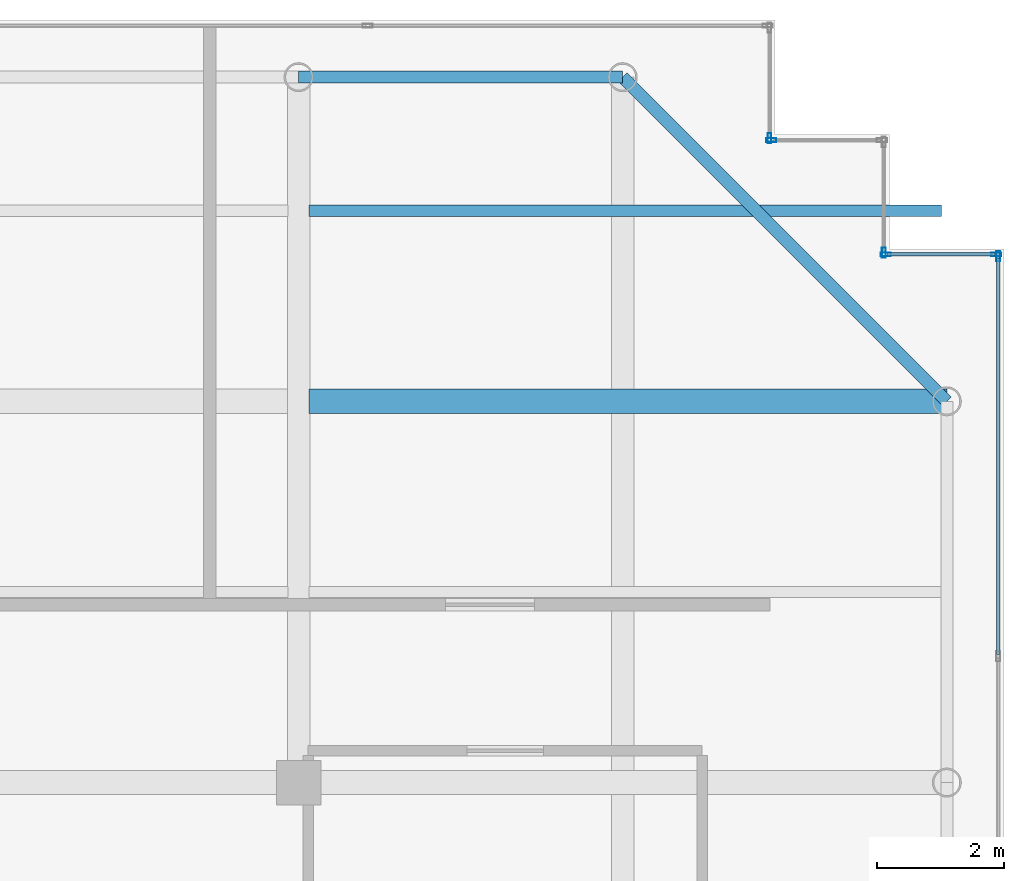
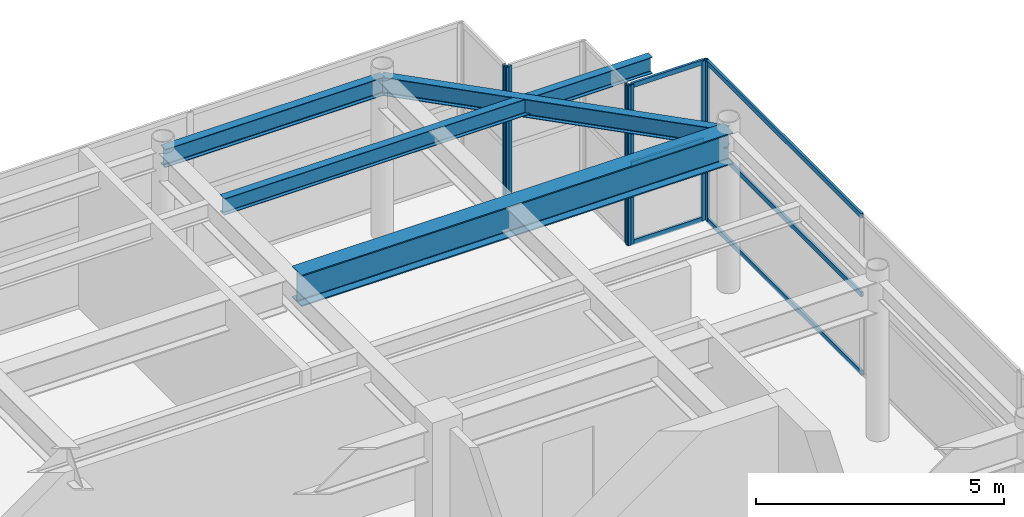
# One storey, part 27 of 33: 12 members, 4 beams, 5 elements without a shape of their own.
"""IFC4 building model written with IfcOpenShell, lengths in metres."""

from ifc_helpers import new_model, si_unit, direction, frame, origin, origin_2d, place, context, subcontext, project, spatial, hollow_rectangle, i_section, extrude, source, transform, mapped, material, layer, layer_set, material_profile, profile_set, type_object, element, aggregate, save


model = new_model("IFC4")

# Units and contexts
model_context = context("Model", 3, precision=1e-05, world=origin(), true_north=direction((0.0, 1.0)))
body_context = subcontext(model_context, "Body", "Model", "MODEL_VIEW")
ifc_project = project(units=[si_unit("LENGTHUNIT", "METRE"), si_unit("AREAUNIT", "SQUARE_METRE"), si_unit("VOLUMEUNIT", "CUBIC_METRE"), si_unit("PLANEANGLEUNIT", "RADIAN"), si_unit("MASSUNIT", "GRAM", prefix="KILO")], contexts=[model_context])

# Site, building, storey
site_placement = place(None, origin())
site = spatial("IfcSite", under=ifc_project, at=site_placement, CompositionType="ELEMENT")
building_placement = place(site_placement, origin())
building = spatial("IfcBuilding", under=site, at=building_placement, Name="Khoralis Quay Care Tower", CompositionType="ELEMENT")
storey_placement = place(building_placement, frame((0.0, 0.0, 302.10009765625)))
storey = spatial("IfcBuildingStorey", under=building, at=storey_placement, Name="L79", CompositionType="ELEMENT", Elevation=302.10009765625)

# Beams
ifc_material_1 = material(Name="Steel S355", Category="steel")
ifc_material_profile_1 = material_profile(ifc_material_1, i_section(OverallWidth=0.18994140625, OverallDepth=0.449951171875, WebThickness=0.009521484375, FlangeThickness=0.0146484375, FilletRadius=0.02099609375, at=origin_2d()), Name="Steel S355")
ifc_profile_set_1 = profile_set([ifc_material_profile_1], Name="Steel S355")
beam_type_1 = type_object("IfcBeamType", Name="BM-IPE450", PredefinedType="SPANDREL", material=ifc_profile_set_1)
shared_shape_1 = source(origin(), body_context, "Body", "SweptSolid", [
    extrude(i_section(OverallWidth=0.18994140625, OverallDepth=0.449951171875, WebThickness=0.009521484375, FlangeThickness=0.0146484375, FilletRadius=0.02099609375, at=origin_2d()), origin(), (0.0, 0.0, 1.0), 5.10009765625),
])
beam_1_placement = place(storey_placement, frame((30.89990234375, 41.10009765625, 3.69482421875), z_axis=(1.0, 0.0, 0.0), x_axis=(0.0, 1.0, 0.0)))
element("IfcBeam", 1, at=beam_1_placement, inside=storey, type_object=beam_type_1, Name="BM-TSP-L79-08", PredefinedType="SPANDREL", context=body_context, shape_type="MappedRepresentation", body=[
    mapped(shared_shape_1, transform((0.0, 0.0, 0.0), scale=1.0)),
])
shared_shape_2 = source(origin(), body_context, "Body", "SweptSolid", [
    extrude(i_section(OverallWidth=0.18994140625, OverallDepth=0.449951171875, WebThickness=0.009521484375, FlangeThickness=0.0146484375, FilletRadius=0.02099609375, at=origin_2d()), origin(), (0.0, 0.0, 1.0), 7.212646484375),
])
beam_2_placement = place(storey_placement, frame((36.0, 41.10009765625, 3.69482421875), z_axis=(0.707106781187, -0.707106781187, 0.0), x_axis=(0.707106781187, 0.707106781187, 0.0)))
element("IfcBeam", 2, at=beam_2_placement, inside=storey, type_object=beam_type_1, Name="BM-TCR-L79-20", PredefinedType="SPANDREL", context=body_context, shape_type="MappedRepresentation", body=[
    mapped(shared_shape_2, transform((0.0, 0.0, 0.0), scale=1.0)),
])
ifc_material_profile_2 = material_profile(ifc_material_1, i_section(OverallWidth=0.381103515625, OverallDepth=0.77294921875, WebThickness=0.0166015625, FlangeThickness=0.027587890625, FilletRadius=0.02197265625, at=origin_2d()), Name="Steel S355")
ifc_profile_set_2 = profile_set([ifc_material_profile_2], Name="Steel S355")
beam_type_2 = type_object("IfcBeamType", Name="BM-W760X257", PredefinedType="BEAM", material=ifc_profile_set_2)
shared_shape_3 = source(origin(), body_context, "Body", "SweptSolid", [
    extrude(i_section(OverallWidth=0.381103515625, OverallDepth=0.77294921875, WebThickness=0.0166015625, FlangeThickness=0.027587890625, FilletRadius=0.02197265625, at=origin_2d()), origin(), (0.0, 0.0, 1.0), 10.03466796875),
])
beam_3_placement = place(storey_placement, frame((31.0654296875, 36.0, 3.533447265625), z_axis=(1.0, 0.0, 0.0), x_axis=(0.0, 1.0, 0.0)))
element("IfcBeam", 3, at=beam_3_placement, inside=storey, type_object=beam_type_2, Name="BM-TGXE-L79-360", PredefinedType="BEAM", context=body_context, shape_type="MappedRepresentation", body=[
    mapped(shared_shape_3, transform((0.0, 0.0, 0.0), scale=1.0)),
])
ifc_material_profile_3 = material_profile(ifc_material_1, i_section(OverallWidth=0.177978515625, OverallDepth=0.406982421875, WebThickness=0.0078125, FlangeThickness=0.0126953125, FilletRadius=0.012939453125, at=origin_2d()), Name="Steel S355")
ifc_profile_set_3 = profile_set([ifc_material_profile_3], Name="Steel S355")
beam_type_3 = type_object("IfcBeamType", Name="BM-W410X60", PredefinedType="JOIST", material=ifc_profile_set_3)
shared_shape_4 = source(origin(), body_context, "Body", "SweptSolid", [
    extrude(i_section(OverallWidth=0.177978515625, OverallDepth=0.406982421875, WebThickness=0.0078125, FlangeThickness=0.0126953125, FilletRadius=0.012939453125, at=origin_2d()), origin(), (0.0, 0.0, 1.0), 9.95361328125),
])
beam_4_placement = place(storey_placement, frame((31.0654296875, 39.0, 3.71630859375), z_axis=(1.0, 0.0, 0.0), x_axis=(0.0, 1.0, 0.0)))
element("IfcBeam", 4, at=beam_4_placement, inside=storey, type_object=beam_type_3, Name="BM-TJS-L79-28", PredefinedType="JOIST", context=body_context, shape_type="MappedRepresentation", body=[
    mapped(shared_shape_4, transform((0.0, 0.0, 0.0), scale=1.0)),
])

# Curtain wall, members
ifc_material_2 = material(Name="Pale anodised aluminium", Category="aluminium")
ifc_layer = layer(ifc_material_2, 0.199951171875)
ifc_layer_set = layer_set([ifc_layer], Name="Pale anodised aluminium")
curtain_wall_type = type_object("IfcCurtainWallType", Name="CW-SYS-LANTERN", PredefinedType="NOTDEFINED", material=ifc_layer_set)
curtain_wall_1_placement = place(storey_placement, origin())
curtain_wall_1 = element("IfcCurtainWall", 5, at=curtain_wall_1_placement, inside=storey, type_object=curtain_wall_type, Name="L79 Unitised Curtain Wall CW-LN-L79-06", PredefinedType="NOTDEFINED")
ifc_material_profile_4 = material_profile(ifc_material_2, hollow_rectangle(XDim=0.054931640625, YDim=0.1201171875, WallThickness=0.00390625, at=origin_2d()), Name="Pale anodised aluminium")
ifc_profile_set_4 = profile_set([ifc_material_profile_4], Name="Pale anodised aluminium")
member_type_1 = type_object("IfcMemberType", Name="CW-TRN-120", PredefinedType="USERDEFINED", material=ifc_profile_set_4)
shared_shape_5 = source(origin(), body_context, "Body", "SweptSolid", [
    extrude(hollow_rectangle(XDim=0.054931640625, YDim=0.1201171875, WallThickness=0.00390625, at=origin_2d()), origin(), (0.0, 0.0, 1.0), 6.23388671875),
])
member_1_placement = place(storey_placement, frame((41.909912109375, 32.01611328125, 0.02978515625), z_axis=(0.0, 1.0, 0.0), x_axis=(-1.0, 0.0, 0.0)))
member_1 = element("IfcMember", 6, at=member_1_placement, type_object=member_type_1, Name="CW5 transom 5.1", ObjectType="TRANSOM", PredefinedType="USERDEFINED", context=body_context, shape_type="MappedRepresentation", body=[
    mapped(shared_shape_5, transform((0.0, 0.0, 0.0), scale=1.0)),
])
member_2_placement = place(storey_placement, frame((41.909912109375, 32.01611328125, 1.9599609375), z_axis=(0.0, 1.0, 0.0), x_axis=(-1.0, 0.0, 0.0)))
member_2 = element("IfcMember", 7, at=member_2_placement, type_object=member_type_1, Name="CW5 transom 5.2", ObjectType="TRANSOM", PredefinedType="USERDEFINED", context=body_context, shape_type="MappedRepresentation", body=[
    mapped(shared_shape_5, transform((0.0, 0.0, 0.0), scale=1.0)),
])
member_3_placement = place(storey_placement, frame((41.909912109375, 32.01611328125, 3.889892578125), z_axis=(0.0, 1.0, 0.0), x_axis=(-1.0, 0.0, 0.0)))
member_3 = element("IfcMember", 8, at=member_3_placement, type_object=member_type_1, Name="CW5 transom 5.3", ObjectType="TRANSOM", PredefinedType="USERDEFINED", context=body_context, shape_type="MappedRepresentation", body=[
    mapped(shared_shape_5, transform((0.0, 0.0, 0.0), scale=1.0)),
])

curtain_wall_2_placement = place(storey_placement, origin())
curtain_wall_2 = element("IfcCurtainWall", 9, at=curtain_wall_2_placement, inside=storey, type_object=curtain_wall_type, Name="L79 Unitised Curtain Wall CW-LN-L79-07", PredefinedType="NOTDEFINED")
shared_shape_6 = source(origin(), body_context, "Body", "SweptSolid", [
    extrude(hollow_rectangle(XDim=0.054931640625, YDim=0.1201171875, WallThickness=0.00390625, at=origin_2d()), origin(), (0.0, 0.0, 1.0), 1.68017578125),
])
member_4_placement = place(storey_placement, frame((41.85009765625, 38.31005859375, 0.02978515625), z_axis=(-1.0, 0.0, 0.0), x_axis=(0.0, -1.0, 0.0)))
member_4 = element("IfcMember", 10, at=member_4_placement, type_object=member_type_1, Name="CW5 transom 1.1", ObjectType="TRANSOM", PredefinedType="USERDEFINED", context=body_context, shape_type="MappedRepresentation", body=[
    mapped(shared_shape_6, transform((0.0, 0.0, 0.0), scale=1.0)),
])
member_5_placement = place(storey_placement, frame((41.85009765625, 38.31005859375, 1.9599609375), z_axis=(-1.0, 0.0, 0.0), x_axis=(0.0, -1.0, 0.0)))
member_5 = element("IfcMember", 11, at=member_5_placement, type_object=member_type_1, Name="CW5 transom 1.2", ObjectType="TRANSOM", PredefinedType="USERDEFINED", context=body_context, shape_type="MappedRepresentation", body=[
    mapped(shared_shape_6, transform((0.0, 0.0, 0.0), scale=1.0)),
])
member_6_placement = place(storey_placement, frame((41.85009765625, 38.31005859375, 3.889892578125), z_axis=(-1.0, 0.0, 0.0), x_axis=(0.0, -1.0, 0.0)))
member_6 = element("IfcMember", 12, at=member_6_placement, type_object=member_type_1, Name="CW5 transom 1.3", ObjectType="TRANSOM", PredefinedType="USERDEFINED", context=body_context, shape_type="MappedRepresentation", body=[
    mapped(shared_shape_6, transform((0.0, 0.0, 0.0), scale=1.0)),
])

# Member
ifc_material_profile_5 = material_profile(ifc_material_2, hollow_rectangle(XDim=0.06005859375, YDim=0.159912109375, WallThickness=0.00390625, at=origin_2d()), Name="Pale anodised aluminium")
ifc_profile_set_5 = profile_set([ifc_material_profile_5], Name="Pale anodised aluminium")
member_type_2 = type_object("IfcMemberType", Name="CW-MUL-160", PredefinedType="MULLION", material=ifc_profile_set_5)
shared_shape_7 = source(origin(), body_context, "Body", "SweptSolid", [
    extrude(hollow_rectangle(XDim=0.06005859375, YDim=0.159912109375, WallThickness=0.00390625, at=origin_2d()), origin(), (0.0, 0.0, 1.0), 3.919921875),
])
member_7_placement = place(storey_placement, frame((41.909912109375, 38.280029296875, 0.0), z_axis=(0.0, 0.0, 1.0), x_axis=(-1.0, 0.0, 0.0)))
member_7 = element("IfcMember", 13, at=member_7_placement, type_object=member_type_2, Name="CW5 mullion 6", PredefinedType="MULLION", context=body_context, shape_type="MappedRepresentation", body=[
    mapped(shared_shape_7, transform((0.0, 0.0, 0.0), scale=1.0)),
])

aggregate(curtain_wall_1, [member_7, member_1, member_2, member_3])

member_8_placement = place(storey_placement, frame((41.8798828125, 38.31005859375, 0.0), z_axis=(0.0, 0.0, 1.0), x_axis=(0.0, -1.0, 0.0)))
member_8 = element("IfcMember", 14, at=member_8_placement, type_object=member_type_2, Name="CW5 mullion 1", PredefinedType="MULLION", context=body_context, shape_type="MappedRepresentation", body=[
    mapped(shared_shape_7, transform((0.0, 0.0, 0.0), scale=1.0)),
])

member_9_placement = place(storey_placement, frame((40.139892578125, 38.31005859375, 0.0), z_axis=(0.0, 0.0, 1.0), x_axis=(0.0, -1.0, 0.0)))
member_9 = element("IfcMember", 15, at=member_9_placement, type_object=member_type_2, Name="CW5 mullion 2", PredefinedType="MULLION", context=body_context, shape_type="MappedRepresentation", body=[
    mapped(shared_shape_7, transform((0.0, 0.0, 0.0), scale=1.0)),
])

aggregate(curtain_wall_2, [member_8, member_9, member_4, member_5, member_6])

# Curtain wall, member
curtain_wall_3_placement = place(storey_placement, origin())
curtain_wall_3 = element("IfcCurtainWall", 16, at=curtain_wall_3_placement, inside=storey, type_object=curtain_wall_type, Name="L79 Unitised Curtain Wall CW-LN-L79-08", PredefinedType="NOTDEFINED")
member_10_placement = place(storey_placement, frame((40.110107421875, 38.340087890625, 0.0), z_axis=(0.0, 0.0, 1.0), x_axis=(-1.0, 0.0, 0.0)))
member_10 = element("IfcMember", 17, at=member_10_placement, type_object=member_type_2, Name="CW5 mullion 1", PredefinedType="MULLION", context=body_context, shape_type="MappedRepresentation", body=[
    mapped(shared_shape_7, transform((0.0, 0.0, 0.0), scale=1.0)),
])
aggregate(curtain_wall_3, [member_10])

curtain_wall_4_placement = place(storey_placement, origin())
curtain_wall_4 = element("IfcCurtainWall", 18, at=curtain_wall_4_placement, inside=storey, type_object=curtain_wall_type, Name="L79 Unitised Curtain Wall CW-LN-L79-09", PredefinedType="NOTDEFINED")
member_11_placement = place(storey_placement, frame((38.340087890625, 40.110107421875, 0.0), z_axis=(0.0, 0.0, 1.0), x_axis=(0.0, -1.0, 0.0)))
member_11 = element("IfcMember", 19, at=member_11_placement, type_object=member_type_2, Name="CW5 mullion 2", PredefinedType="MULLION", context=body_context, shape_type="MappedRepresentation", body=[
    mapped(shared_shape_7, transform((0.0, 0.0, 0.0), scale=1.0)),
])
aggregate(curtain_wall_4, [member_11])

curtain_wall_5_placement = place(storey_placement, origin())
curtain_wall_5 = element("IfcCurtainWall", 20, at=curtain_wall_5_placement, inside=storey, type_object=curtain_wall_type, Name="L79 Unitised Curtain Wall CW-LN-L79-10", PredefinedType="NOTDEFINED")
member_12_placement = place(storey_placement, frame((38.31005859375, 40.139892578125, 0.0), z_axis=(0.0, 0.0, 1.0), x_axis=(-1.0, 0.0, 0.0)))
member_12 = element("IfcMember", 21, at=member_12_placement, type_object=member_type_2, Name="CW5 mullion 1", PredefinedType="MULLION", context=body_context, shape_type="MappedRepresentation", body=[
    mapped(shared_shape_7, transform((0.0, 0.0, 0.0), scale=1.0)),
])
aggregate(curtain_wall_5, [member_12])

save(model, "model.ifc")
